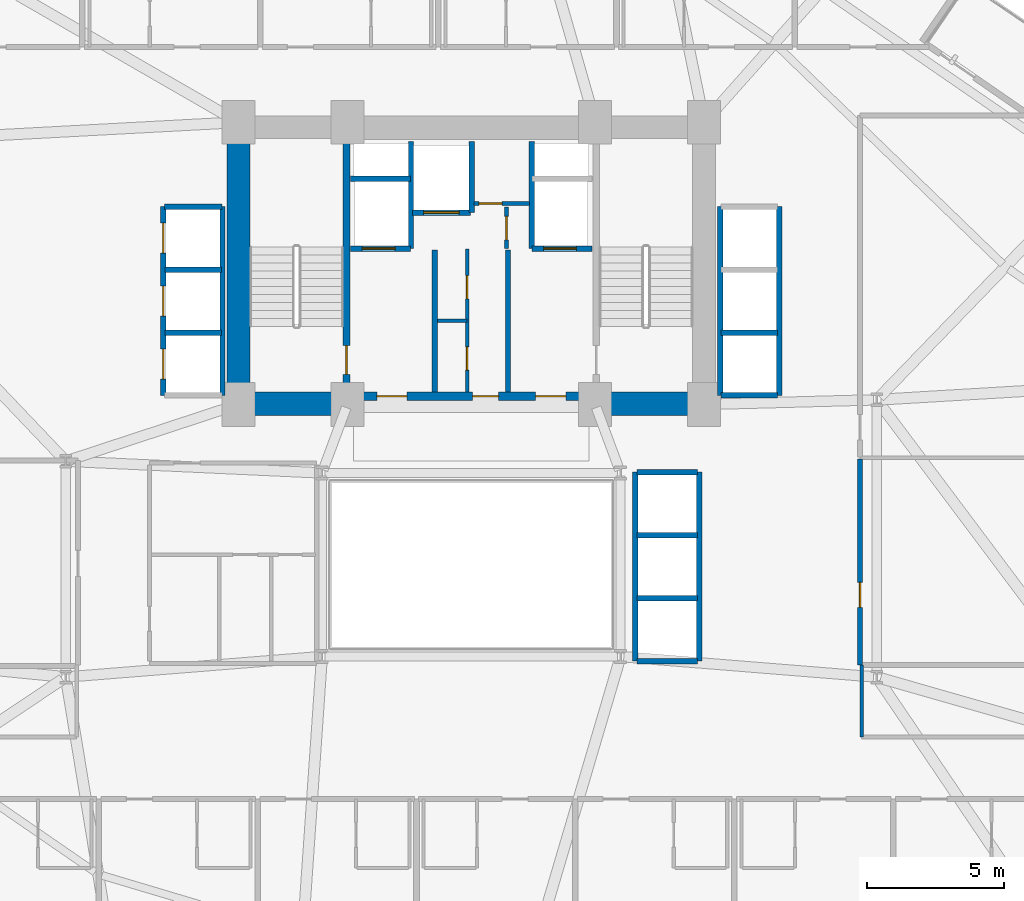
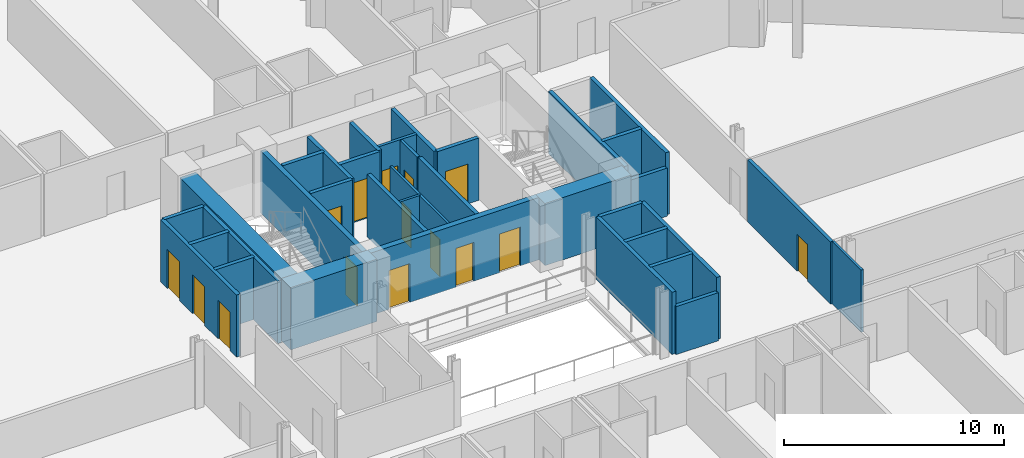
# One storey, part 21 of 27: 35 walls, 15 doors, 15 openings.
"""IFC4 building model written with IfcOpenShell, lengths in metres."""

from ifc_helpers import new_model, si_unit, direction, frame, frame_2d, origin, place, context, subcontext, project, spatial, rectangle, extrude, material, layer, layer_set, type_object, element, fill, save


model = new_model("IFC4")

# Units and contexts
model_context = context("Model", 3, precision=1e-05, world=origin(), true_north=direction((0.0, 1.0)))
body_context = subcontext(model_context, "Body", "Model", "MODEL_VIEW")
ifc_project = project(units=[si_unit("LENGTHUNIT", "METRE"), si_unit("AREAUNIT", "SQUARE_METRE"), si_unit("VOLUMEUNIT", "CUBIC_METRE"), si_unit("PLANEANGLEUNIT", "RADIAN"), si_unit("MASSUNIT", "GRAM", prefix="KILO")], contexts=[model_context])

# Site, building, storey
site_placement = place(None, origin())
site = spatial("IfcSite", under=ifc_project, at=site_placement, CompositionType="ELEMENT")
building_placement = place(site_placement, origin())
building = spatial("IfcBuilding", under=site, at=building_placement, Name="Varnelok Gate Tower", CompositionType="ELEMENT")
storey_placement = place(building_placement, frame((0.0, 0.0, 60.300048828125)))
storey = spatial("IfcBuildingStorey", under=building, at=storey_placement, Name="L14", CompositionType="ELEMENT", Elevation=60.300048828125)

# Wall, opening, door
ifc_material_1 = material(Name="Gypsum Plasterboard Acoustic Partition", Category="gypsum")
ifc_layer_1 = layer(ifc_material_1, 0.179931640625)
ifc_layer_set_1 = layer_set([ifc_layer_1], Name="Gypsum Plasterboard Acoustic Partition")
wall_type_1 = type_object("IfcWallType", Name="PW-CORR-180", PredefinedType="PARTITIONING", material=ifc_layer_set_1)
wall_1_placement = place(storey_placement, frame((53.389892578125, 19.239990234375, 0.0), z_axis=(0.0, 0.0, 1.0), x_axis=(0.0, 1.0, 0.0)))
wall_1 = element("IfcWall", 1, at=wall_1_placement, inside=storey, type_object=wall_type_1, Name="Interior Partition", PredefinedType="PARTITIONING", context=body_context, shape_type="SweptSolid", body=[
    extrude(rectangle(XDim=7.52001953125, YDim=0.179931640625, at=frame_2d((3.760009765625, 0.0))), origin(), (0.0, 0.0, 1.0), 3.449951171875),
])
opening_1_placement = place(wall_1_placement, frame((2.10009765625, 0.0, 0.0)))
opening_1 = element("IfcOpeningElement", 2, at=opening_1_placement, cuts=wall_1, Name="Opening D-I3", PredefinedType="OPENING", context=body_context, shape_type="SweptSolid", body=[
    extrude(rectangle(XDim=0.919921875, YDim=2.050048828125, at=frame_2d((0.4599609375, 1.02490234375))), frame((0.0, 0.099853515625, 0.0), z_axis=(0.0, -1.0, 0.0), x_axis=(1.0, 0.0, 0.0)), (0.0, 0.0, 1.0), 0.199951171875),
])
ifc_material_2 = material(Name="Engineered Hardwood Timber", Category="wood")
door_type_1 = type_object("IfcDoorType", Name="DR-INT-920", OperationType="NOTDEFINED", PredefinedType="DOOR", material=ifc_material_2)
door_1_placement = place(opening_1_placement, origin())
door_1 = element("IfcDoor", 3, at=door_1_placement, inside=storey, type_object=door_type_1, Name="L14 East Studio Door", OperationType="SINGLE_SWING_RIGHT", OverallHeight=2.050048828125, OverallWidth=0.919921875, PredefinedType="DOOR", context=body_context, shape_type="SweptSolid", body=[
    extrude(rectangle(XDim=0.919921875, YDim=2.050048828125, at=frame_2d((0.4599609375, 1.02490234375))), frame((0.0, 0.02490234375, 0.0), z_axis=(0.0, -1.0, 0.0), x_axis=(1.0, 0.0, 0.0)), (0.0, 0.0, 1.0), 0.050048828125),
])
fill(opening_1, door_1)

# Walls
ifc_layer_2 = layer(ifc_material_1, 0.125)
ifc_layer_set_2 = layer_set([ifc_layer_2], Name="Gypsum Plasterboard Acoustic Partition")
wall_type_2 = type_object("IfcWallType", Name="PW-PART-125", PredefinedType="PARTITIONING", material=ifc_layer_set_2)
wall_2_placement = place(storey_placement, frame((53.449951171875, 16.610107421875, 0.0), z_axis=(0.0, 0.0, 1.0), x_axis=(0.0, 1.0, 0.0)))
element("IfcWall", 4, at=wall_2_placement, inside=storey, type_object=wall_type_2, Name="Interior Partition", PredefinedType="PARTITIONING", context=body_context, shape_type="SweptSolid", body=[
    extrude(rectangle(XDim=2.6298828125, YDim=0.125, at=frame_2d((1.31494140625, 0.0))), origin(), (0.0, 0.0, 1.0), 3.449951171875),
])
wall_3_placement = place(storey_placement, frame((37.9599609375, 31.800048828125, 0.0), z_axis=(0.0, 0.0, 1.0), x_axis=(1.0, 0.0, 0.0)))
element("IfcWall", 5, at=wall_3_placement, inside=storey, type_object=wall_type_2, Name="Interior Partition", PredefinedType="PARTITIONING", context=body_context, shape_type="SweptSolid", body=[
    extrude(rectangle(XDim=1.090087890625, YDim=0.125, at=frame_2d((0.544921875, 0.0))), origin(), (0.0, 0.0, 1.0), 3.449951171875),
])

# Wall, openings, doors
wall_4_placement = place(storey_placement, frame((39.050048828125, 29.199951171875, 0.0), z_axis=(0.0, 0.0, 1.0), x_axis=(0.0, 1.0, 0.0)))
wall_4 = element("IfcWall", 6, at=wall_4_placement, inside=storey, type_object=wall_type_2, Name="Interior Partition", PredefinedType="PARTITIONING", context=body_context, shape_type="SweptSolid", body=[
    extrude(rectangle(XDim=5.219970703125, YDim=0.125, at=frame_2d((2.60986328125, 0.0))), origin(), (0.0, 0.0, 1.0), 3.449951171875),
])
opening_2_placement = place(wall_4_placement, frame((0.800048828125, 0.0, 0.0)))
opening_2 = element("IfcOpeningElement", 7, at=opening_2_placement, cuts=wall_4, Name="Opening D-RS", PredefinedType="OPENING", context=body_context, shape_type="SweptSolid", body=[
    extrude(rectangle(XDim=0.85009765625, YDim=2.050048828125, at=frame_2d((0.425048828125, 1.02490234375))), frame((0.0, 0.072509765625, 0.0), z_axis=(0.0, -1.0, 0.0), x_axis=(1.0, 0.0, 0.0)), (0.0, 0.0, 1.0), 0.14501953125),
])
opening_3_placement = place(wall_4_placement, frame((3.39990234375, 0.0, 0.0)))
opening_3 = element("IfcOpeningElement", 8, at=opening_3_placement, cuts=wall_4, Name="Opening D-RS", PredefinedType="OPENING", context=body_context, shape_type="SweptSolid", body=[
    extrude(rectangle(XDim=0.85009765625, YDim=2.050048828125, at=frame_2d((0.425048828125, 1.02490234375))), frame((0.0, 0.072509765625, 0.0), z_axis=(0.0, -1.0, 0.0), x_axis=(1.0, 0.0, 0.0)), (0.0, 0.0, 1.0), 0.14501953125),
])
ifc_material_3 = material(Name="Galvanized Steel Grade S350GD", Category="steel")
door_type_2 = type_object("IfcDoorType", Name="DR-RISER-850", OperationType="NOTDEFINED", PredefinedType="DOOR", material=ifc_material_3)
door_2_placement = place(opening_2_placement, origin())
door_2 = element("IfcDoor", 9, at=door_2_placement, inside=storey, type_object=door_type_2, Name="L14 Housekeeping Linen Door", OperationType="SINGLE_SWING_LEFT", OverallHeight=2.050048828125, OverallWidth=0.85009765625, PredefinedType="DOOR", context=body_context, shape_type="SweptSolid", body=[
    extrude(rectangle(XDim=0.85009765625, YDim=2.050048828125, at=frame_2d((0.425048828125, 1.02490234375))), frame((0.0, 0.02490234375, 0.0), z_axis=(0.0, -1.0, 0.0), x_axis=(1.0, 0.0, 0.0)), (0.0, 0.0, 1.0), 0.050048828125),
])
fill(opening_2, door_2)
door_3_placement = place(opening_3_placement, origin())
door_3 = element("IfcDoor", 10, at=door_3_placement, inside=storey, type_object=door_type_2, Name="L14 Janitor Sink Door", OperationType="SINGLE_SWING_RIGHT", OverallHeight=2.050048828125, OverallWidth=0.85009765625, PredefinedType="DOOR", context=body_context, shape_type="SweptSolid", body=[
    extrude(rectangle(XDim=0.85009765625, YDim=2.050048828125, at=frame_2d((0.425048828125, 1.02490234375))), frame((0.0, 0.02490234375, 0.0), z_axis=(0.0, -1.0, 0.0), x_axis=(1.0, 0.0, 0.0)), (0.0, 0.0, 1.0), 0.050048828125),
])
fill(opening_3, door_3)

# Wall, opening, door
ifc_layer_3 = layer(ifc_material_1, 0.14990234375)
ifc_layer_set_3 = layer_set([ifc_layer_3], Name="Gypsum Plasterboard Acoustic Partition")
wall_type_3 = type_object("IfcWallType", Name="PW-PART-150", PredefinedType="PARTITIONING", material=ifc_layer_set_3)
wall_5_placement = place(storey_placement, frame((39.300048828125, 36.080078125, 0.0), z_axis=(0.0, 0.0, 1.0), x_axis=(1.0, 0.0, 0.0)))
wall_5 = element("IfcWall", 11, at=wall_5_placement, inside=storey, type_object=wall_type_3, Name="L14 Electrical Closet South Wall", PredefinedType="PARTITIONING", context=body_context, shape_type="SweptSolid", body=[
    extrude(rectangle(XDim=2.02001953125, YDim=0.14990234375, at=frame_2d((1.010009765625, 0.0))), origin(), (0.0, 0.0, 1.0), 3.449951171875),
])
opening_4_placement = place(wall_5_placement, frame((0.179931640625, 0.0, 0.0)))
opening_4 = element("IfcOpeningElement", 12, at=opening_4_placement, cuts=wall_5, Name="Opening D-RS", PredefinedType="OPENING", context=body_context, shape_type="SweptSolid", body=[
    extrude(rectangle(XDim=0.85009765625, YDim=2.050048828125, at=frame_2d((0.425048828125, 1.02490234375))), frame((0.0, 0.0849609375, 0.0), z_axis=(0.0, -1.0, 0.0), x_axis=(1.0, 0.0, 0.0)), (0.0, 0.0, 1.0), 0.169921875),
])
door_4_placement = place(opening_4_placement, origin())
door_4 = element("IfcDoor", 13, at=door_4_placement, inside=storey, type_object=door_type_2, Name="L14 Electrical Closet Door", OperationType="SINGLE_SWING_RIGHT", OverallHeight=2.050048828125, OverallWidth=0.85009765625, PredefinedType="DOOR", context=body_context, shape_type="SweptSolid", body=[
    extrude(rectangle(XDim=0.85009765625, YDim=2.050048828125, at=frame_2d((0.425048828125, 1.02490234375))), frame((0.0, 0.02490234375, 0.0), z_axis=(0.0, -1.0, 0.0), x_axis=(1.0, 0.0, 0.0)), (0.0, 0.0, 1.0), 0.050048828125),
])
fill(opening_4, door_4)

wall_6_placement = place(storey_placement, frame((40.47998046875, 34.43994140625, 0.0), z_axis=(0.0, 0.0, 1.0), x_axis=(0.0, 1.0, 0.0)))
wall_6 = element("IfcWall", 14, at=wall_6_placement, inside=storey, type_object=wall_type_3, Name="L14 Telecoms Closet West Wall", PredefinedType="PARTITIONING", context=body_context, shape_type="SweptSolid", body=[
    extrude(rectangle(XDim=1.52001953125, YDim=0.14990234375, at=frame_2d((0.760009765625, 0.0))), origin(), (0.0, 0.0, 1.0), 3.449951171875),
])
opening_5_placement = place(wall_6_placement, frame((0.320068359375, 0.0, 0.0)))
opening_5 = element("IfcOpeningElement", 15, at=opening_5_placement, cuts=wall_6, Name="Opening D-RS", PredefinedType="OPENING", context=body_context, shape_type="SweptSolid", body=[
    extrude(rectangle(XDim=0.85009765625, YDim=2.050048828125, at=frame_2d((0.425048828125, 1.02490234375))), frame((0.0, 0.0849609375, 0.0), z_axis=(0.0, -1.0, 0.0), x_axis=(1.0, 0.0, 0.0)), (0.0, 0.0, 1.0), 0.169921875),
])
door_5_placement = place(opening_5_placement, origin())
door_5 = element("IfcDoor", 16, at=door_5_placement, inside=storey, type_object=door_type_2, Name="L14 Telecoms Closet Door", OperationType="SINGLE_SWING_LEFT", OverallHeight=2.050048828125, OverallWidth=0.85009765625, PredefinedType="DOOR", context=body_context, shape_type="SweptSolid", body=[
    extrude(rectangle(XDim=0.85009765625, YDim=2.050048828125, at=frame_2d((0.425048828125, 1.02490234375))), frame((0.0, 0.02490234375, 0.0), z_axis=(0.0, -1.0, 0.0), x_axis=(1.0, 0.0, 0.0)), (0.0, 0.0, 1.0), 0.050048828125),
])
fill(opening_5, door_5)

# Walls
ifc_material_4 = material(Name="Concrete C35/45", Category="concrete")
ifc_layer_4 = layer(ifc_material_4, 0.199951171875)
ifc_layer_set_4 = layer_set([ifc_layer_4], Name="Concrete C35/45")
wall_type_4 = type_object("IfcWallType", Name="PW-SHAFT-200", PredefinedType="PARTITIONING", material=ifc_layer_set_4)
for number, where, z_axis, x_axis, name in (
    (17, (37.860107421875, 29.199951171875, 0.0), (0.0, 0.0, 1.0), (0.0, 1.0, 0.0), "L14 West FF Lobby Rated Wall"),
    (18, (40.5400390625, 29.199951171875, 0.0), (0.0, 0.0, 1.0), (0.0, 1.0, 0.0), "L14 East FF Lobby Rated Wall"),
):
    element("IfcWall", number, at=place(storey_placement, frame(where, z_axis=z_axis, x_axis=x_axis)), inside=storey, type_object=wall_type_4, Name=name, PredefinedType="PARTITIONING", context=body_context, shape_type="SweptSolid", body=[
        extrude(rectangle(XDim=5.179931640625, YDim=0.199951171875, at=frame_2d((2.58984375, 0.0))), origin(), (0.0, 0.0, 1.0), 3.449951171875),
    ])

# Wall, opening, door
wall_7_placement = place(storey_placement, frame((34.800048828125, 34.43994140625, 0.0), z_axis=(0.0, 0.0, 1.0), x_axis=(1.0, 0.0, 0.0)))
wall_7 = element("IfcWall", 19, at=wall_7_placement, inside=storey, type_object=wall_type_4, Name="L14 FF1 Shaft Front Wall", PredefinedType="PARTITIONING", context=body_context, shape_type="SweptSolid", body=[
    extrude(rectangle(XDim=2.179931640625, YDim=0.199951171875, at=frame_2d((1.08984375, 0.0))), origin(), (0.0, 0.0, 1.0), 3.449951171875),
])
opening_6_placement = place(wall_7_placement, frame((0.419921875, 0.0, 0.0)))
opening_6 = element("IfcOpeningElement", 20, at=opening_6_placement, cuts=wall_7, Name="Opening LD-FF1", PredefinedType="OPENING", context=body_context, shape_type="SweptSolid", body=[
    extrude(rectangle(XDim=1.199951171875, YDim=2.199951171875, at=frame_2d((0.60009765625, 1.10009765625))), frame((0.0, 0.10986328125, 0.0), z_axis=(0.0, -1.0, 0.0), x_axis=(1.0, 0.0, 0.0)), (0.0, 0.0, 1.0), 0.219970703125),
])
door_type_3 = type_object("IfcDoorType", Name="DR-LIFT-FF1200", OperationType="SLIDING_TO_LEFT", PredefinedType="DOOR", material=ifc_material_3)
door_6_placement = place(opening_6_placement, origin())
door_6 = element("IfcDoor", 21, at=door_6_placement, inside=storey, type_object=door_type_3, Name="L14 Firefighting Lift Landing Door LD-FF1", OperationType="SLIDING_TO_LEFT", OverallHeight=2.199951171875, OverallWidth=1.199951171875, PredefinedType="DOOR", context=body_context, shape_type="SweptSolid", body=[
    extrude(rectangle(XDim=1.199951171875, YDim=2.199951171875, at=frame_2d((0.60009765625, 1.10009765625))), frame((0.0, 0.02490234375, 0.0), z_axis=(0.0, -1.0, 0.0), x_axis=(1.0, 0.0, 0.0)), (0.0, 0.0, 1.0), 0.050048828125),
])
fill(opening_6, door_6)

# Walls
wall_8_placement = place(storey_placement, frame((34.800048828125, 36.97998046875, 0.0), z_axis=(0.0, 0.0, 1.0), x_axis=(1.0, 0.0, 0.0)))
element("IfcWall", 22, at=wall_8_placement, inside=storey, type_object=wall_type_4, Name="L14 FF1 Shaft North Wall", PredefinedType="PARTITIONING", context=body_context, shape_type="SweptSolid", body=[
    extrude(rectangle(XDim=2.179931640625, YDim=0.199951171875, at=frame_2d((1.08984375, 0.0))), origin(), (0.0, 0.0, 1.0), 3.449951171875),
])
wall_9_placement = place(storey_placement, frame((37.0, 34.43994140625, 0.0), z_axis=(0.0, 0.0, 1.0), x_axis=(0.0, 1.0, 0.0)))
element("IfcWall", 23, at=wall_9_placement, inside=storey, type_object=wall_type_4, Name="L14 FF1 Shaft Side Wall", PredefinedType="PARTITIONING", context=body_context, shape_type="SweptSolid", body=[
    extrude(rectangle(XDim=3.900146484375, YDim=0.199951171875, at=frame_2d((1.9501953125, 0.0))), origin(), (0.0, 0.0, 1.0), 3.449951171875),
])

# Wall, opening, door
wall_10_placement = place(storey_placement, frame((41.419921875, 34.43994140625, 0.0), z_axis=(0.0, 0.0, 1.0), x_axis=(1.0, 0.0, 0.0)))
wall_10 = element("IfcWall", 24, at=wall_10_placement, inside=storey, type_object=wall_type_4, Name="L14 FF2 Shaft Front Wall", PredefinedType="PARTITIONING", context=body_context, shape_type="SweptSolid", body=[
    extrude(rectangle(XDim=2.18017578125, YDim=0.199951171875, at=frame_2d((1.090087890625, 0.0))), origin(), (0.0, 0.0, 1.0), 3.449951171875),
])
opening_7_placement = place(wall_10_placement, frame((0.419921875, 0.0, 0.0)))
opening_7 = element("IfcOpeningElement", 25, at=opening_7_placement, cuts=wall_10, Name="Opening LD-FF2", PredefinedType="OPENING", context=body_context, shape_type="SweptSolid", body=[
    extrude(rectangle(XDim=1.199951171875, YDim=2.199951171875, at=frame_2d((0.60009765625, 1.10009765625))), frame((0.0, 0.10986328125, 0.0), z_axis=(0.0, -1.0, 0.0), x_axis=(1.0, 0.0, 0.0)), (0.0, 0.0, 1.0), 0.219970703125),
])
door_7_placement = place(opening_7_placement, origin())
door_7 = element("IfcDoor", 26, at=door_7_placement, inside=storey, type_object=door_type_3, Name="L14 Firefighting Lift Landing Door LD-FF2", OperationType="SLIDING_TO_LEFT", OverallHeight=2.199951171875, OverallWidth=1.199951171875, PredefinedType="DOOR", context=body_context, shape_type="SweptSolid", body=[
    extrude(rectangle(XDim=1.199951171875, YDim=2.199951171875, at=frame_2d((0.60009765625, 1.10009765625))), frame((0.0, 0.02490234375, 0.0), z_axis=(0.0, -1.0, 0.0), x_axis=(1.0, 0.0, 0.0)), (0.0, 0.0, 1.0), 0.050048828125),
])
fill(opening_7, door_7)

# Wall
wall_11_placement = place(storey_placement, frame((41.39990234375, 34.43994140625, 0.0), z_axis=(0.0, 0.0, 1.0), x_axis=(0.0, 1.0, 0.0)))
element("IfcWall", 27, at=wall_11_placement, inside=storey, type_object=wall_type_4, Name="L14 FF2 Shaft Side Wall", PredefinedType="PARTITIONING", context=body_context, shape_type="SweptSolid", body=[
    extrude(rectangle(XDim=3.900146484375, YDim=0.199951171875, at=frame_2d((1.9501953125, 0.0))), origin(), (0.0, 0.0, 1.0), 3.449951171875),
])

# Wall, opening, door
wall_12_placement = place(storey_placement, frame((37.06005859375, 35.75, 0.0), z_axis=(0.0, 0.0, 1.0), x_axis=(1.0, 0.0, 0.0)))
wall_12 = element("IfcWall", 28, at=wall_12_placement, inside=storey, type_object=wall_type_4, Name="L14 SV1 Shaft Front Wall", PredefinedType="PARTITIONING", context=body_context, shape_type="SweptSolid", body=[
    extrude(rectangle(XDim=2.119873046875, YDim=0.199951171875, at=frame_2d((1.06005859375, 0.0))), origin(), (0.0, 0.0, 1.0), 3.449951171875),
])
opening_8_placement = place(wall_12_placement, frame((0.39990234375, 0.0, 0.0)))
opening_8 = element("IfcOpeningElement", 29, at=opening_8_placement, cuts=wall_12, Name="Opening LD-SV1", PredefinedType="OPENING", context=body_context, shape_type="SweptSolid", body=[
    extrude(rectangle(XDim=1.300048828125, YDim=2.199951171875, at=frame_2d((0.64990234375, 1.10009765625))), frame((0.0, 0.10986328125, 0.0), z_axis=(0.0, -1.0, 0.0), x_axis=(1.0, 0.0, 0.0)), (0.0, 0.0, 1.0), 0.219970703125),
])
door_type_4 = type_object("IfcDoorType", Name="DR-LIFT-SV1300", OperationType="SLIDING_TO_LEFT", PredefinedType="DOOR", material=ifc_material_3)
door_8_placement = place(opening_8_placement, origin())
door_8 = element("IfcDoor", 30, at=door_8_placement, inside=storey, type_object=door_type_4, Name="L14 Service Lift Landing Door LD-SV1", OperationType="SLIDING_TO_LEFT", OverallHeight=2.199951171875, OverallWidth=1.300048828125, PredefinedType="DOOR", context=body_context, shape_type="SweptSolid", body=[
    extrude(rectangle(XDim=1.300048828125, YDim=2.199951171875, at=frame_2d((0.64990234375, 1.10009765625))), frame((0.0, 0.02490234375, 0.0), z_axis=(0.0, -1.0, 0.0), x_axis=(1.0, 0.0, 0.0)), (0.0, 0.0, 1.0), 0.050048828125),
])
fill(opening_8, door_8)

# Walls
wall_13_placement = place(storey_placement, frame((39.219970703125, 35.75, 0.0), z_axis=(0.0, 0.0, 1.0), x_axis=(0.0, 1.0, 0.0)))
element("IfcWall", 31, at=wall_13_placement, inside=storey, type_object=wall_type_4, Name="L14 SV1 Shaft East Wall", PredefinedType="PARTITIONING", context=body_context, shape_type="SweptSolid", body=[
    extrude(rectangle(XDim=2.590087890625, YDim=0.199951171875, at=frame_2d((1.294921875, 0.0))), origin(), (0.0, 0.0, 1.0), 3.449951171875),
])
for number, where, z_axis, x_axis, name in (
    (32, (28.02001953125, 31.375, 0.0), (0.0, 0.0, 1.0), (1.0, 0.0, 0.0), "L14 PL1 Divider"),
    (33, (28.02001953125, 33.675048828125, 0.0), (0.0, 0.0, 1.0), (1.0, 0.0, 0.0), "L14 PL2 Divider"),
):
    element("IfcWall", number, at=place(storey_placement, frame(where, z_axis=z_axis, x_axis=x_axis)), inside=storey, type_object=wall_type_4, Name=name, PredefinedType="PARTITIONING", context=body_context, shape_type="SweptSolid", body=[
        extrude(rectangle(XDim=2.06005859375, YDim=0.199951171875, at=frame_2d((1.030029296875, 0.0))), origin(), (0.0, 0.0, 1.0), 3.449951171875),
    ])
wall_14_placement = place(storey_placement, frame((28.0, 35.969970703125, 0.0), z_axis=(0.0, 0.0, 1.0), x_axis=(1.0, 0.0, 0.0)))
element("IfcWall", 34, at=wall_14_placement, inside=storey, type_object=wall_type_4, Name="L14 PL Bank North Wall", PredefinedType="PARTITIONING", context=body_context, shape_type="SweptSolid", body=[
    extrude(rectangle(XDim=2.10009765625, YDim=0.199951171875, at=frame_2d((1.050048828125, 0.0))), origin(), (0.0, 0.0, 1.0), 3.449951171875),
])
wall_15_placement = place(storey_placement, frame((30.1201171875, 29.080078125, 0.0), z_axis=(0.0, 0.0, 1.0), x_axis=(0.0, 1.0, 0.0)))
element("IfcWall", 35, at=wall_15_placement, inside=storey, type_object=wall_type_4, Name="L14 PL Bank Back Wall", PredefinedType="PARTITIONING", context=body_context, shape_type="SweptSolid", body=[
    extrude(rectangle(XDim=6.889892578125, YDim=0.199951171875, at=frame_2d((3.44482421875, 0.0))), origin(), (0.0, 0.0, 1.0), 3.449951171875),
])

# Wall, openings, doors
wall_16_placement = place(storey_placement, frame((27.9599609375, 29.080078125, 0.0), z_axis=(0.0, 0.0, 1.0), x_axis=(0.0, 1.0, 0.0)))
wall_16 = element("IfcWall", 36, at=wall_16_placement, inside=storey, type_object=wall_type_4, Name="L14 PL Bank Front Wall", PredefinedType="PARTITIONING", context=body_context, shape_type="SweptSolid", body=[
    extrude(rectangle(XDim=6.889892578125, YDim=0.199951171875, at=frame_2d((3.44482421875, 0.0))), origin(), (0.0, 0.0, 1.0), 3.449951171875),
])
opening_9_placement = place(wall_16_placement, frame((0.590087890625, 0.0, 0.0)))
opening_9 = element("IfcOpeningElement", 37, at=opening_9_placement, cuts=wall_16, Name="Opening LD-PL1", PredefinedType="OPENING", context=body_context, shape_type="SweptSolid", body=[
    extrude(rectangle(XDim=1.10009765625, YDim=2.14990234375, at=frame_2d((0.550048828125, 1.074951171875))), frame((0.0, 0.10986328125, 0.0), z_axis=(0.0, -1.0, 0.0), x_axis=(1.0, 0.0, 0.0)), (0.0, 0.0, 1.0), 0.219970703125),
])
opening_10_placement = place(wall_16_placement, frame((2.889892578125, 0.0, 0.0)))
opening_10 = element("IfcOpeningElement", 38, at=opening_10_placement, cuts=wall_16, Name="Opening LD-PL2", PredefinedType="OPENING", context=body_context, shape_type="SweptSolid", body=[
    extrude(rectangle(XDim=1.10009765625, YDim=2.14990234375, at=frame_2d((0.550048828125, 1.074951171875))), frame((0.0, 0.10986328125, 0.0), z_axis=(0.0, -1.0, 0.0), x_axis=(1.0, 0.0, 0.0)), (0.0, 0.0, 1.0), 0.219970703125),
])
opening_11_placement = place(wall_16_placement, frame((5.18994140625, 0.0, 0.0)))
opening_11 = element("IfcOpeningElement", 39, at=opening_11_placement, cuts=wall_16, Name="Opening LD-PL3", PredefinedType="OPENING", context=body_context, shape_type="SweptSolid", body=[
    extrude(rectangle(XDim=1.10009765625, YDim=2.14990234375, at=frame_2d((0.550048828125, 1.074951171875))), frame((0.0, 0.10986328125, 0.0), z_axis=(0.0, -1.0, 0.0), x_axis=(1.0, 0.0, 0.0)), (0.0, 0.0, 1.0), 0.219970703125),
])
door_type_5 = type_object("IfcDoorType", Name="DR-LIFT-PAX1100", OperationType="SLIDING_TO_LEFT", PredefinedType="DOOR", material=ifc_material_3)
door_9_placement = place(opening_9_placement, origin())
door_9 = element("IfcDoor", 40, at=door_9_placement, inside=storey, type_object=door_type_5, Name="L14 Passenger Lift Landing Door LD-PL1", OperationType="SLIDING_TO_LEFT", OverallHeight=2.14990234375, OverallWidth=1.10009765625, PredefinedType="DOOR", context=body_context, shape_type="SweptSolid", body=[
    extrude(rectangle(XDim=1.10009765625, YDim=2.14990234375, at=frame_2d((0.550048828125, 1.074951171875))), frame((0.0, 0.02490234375, 0.0), z_axis=(0.0, -1.0, 0.0), x_axis=(1.0, 0.0, 0.0)), (0.0, 0.0, 1.0), 0.050048828125),
])
fill(opening_9, door_9)
door_10_placement = place(opening_10_placement, origin())
door_10 = element("IfcDoor", 41, at=door_10_placement, inside=storey, type_object=door_type_5, Name="L14 Passenger Lift Landing Door LD-PL2", OperationType="SLIDING_TO_LEFT", OverallHeight=2.14990234375, OverallWidth=1.10009765625, PredefinedType="DOOR", context=body_context, shape_type="SweptSolid", body=[
    extrude(rectangle(XDim=1.10009765625, YDim=2.14990234375, at=frame_2d((0.550048828125, 1.074951171875))), frame((0.0, 0.02490234375, 0.0), z_axis=(0.0, -1.0, 0.0), x_axis=(1.0, 0.0, 0.0)), (0.0, 0.0, 1.0), 0.050048828125),
])
fill(opening_10, door_10)
door_11_placement = place(opening_11_placement, origin())
door_11 = element("IfcDoor", 42, at=door_11_placement, inside=storey, type_object=door_type_5, Name="L14 Passenger Lift Landing Door LD-PL3", OperationType="SLIDING_TO_LEFT", OverallHeight=2.14990234375, OverallWidth=1.10009765625, PredefinedType="DOOR", context=body_context, shape_type="SweptSolid", body=[
    extrude(rectangle(XDim=1.10009765625, YDim=2.14990234375, at=frame_2d((0.550048828125, 1.074951171875))), frame((0.0, 0.02490234375, 0.0), z_axis=(0.0, -1.0, 0.0), x_axis=(1.0, 0.0, 0.0)), (0.0, 0.0, 1.0), 0.050048828125),
])
fill(opening_11, door_11)

# Walls
wall_17_placement = place(storey_placement, frame((48.320068359375, 31.375, 0.0), z_axis=(0.0, 0.0, 1.0), x_axis=(1.0, 0.0, 0.0)))
element("IfcWall", 43, at=wall_17_placement, inside=storey, type_object=wall_type_4, Name="L14 PM1 Divider", PredefinedType="PARTITIONING", context=body_context, shape_type="SweptSolid", body=[
    extrude(rectangle(XDim=2.059814453125, YDim=0.199951171875, at=frame_2d((1.02978515625, 0.0))), origin(), (0.0, 0.0, 1.0), 3.449951171875),
])
wall_18_placement = place(storey_placement, frame((48.320068359375, 29.080078125, 0.0), z_axis=(0.0, 0.0, 1.0), x_axis=(1.0, 0.0, 0.0)))
element("IfcWall", 44, at=wall_18_placement, inside=storey, type_object=wall_type_4, Name="L14 PM Bank South Wall", PredefinedType="PARTITIONING", context=body_context, shape_type="SweptSolid", body=[
    extrude(rectangle(XDim=2.059814453125, YDim=0.199951171875, at=frame_2d((1.02978515625, 0.0))), origin(), (0.0, 0.0, 1.0), 2.661865234375),
])
for number, where, z_axis, x_axis, name in (
    (45, (48.280029296875, 29.080078125, 0.0), (0.0, 0.0, 1.0), (0.0, 1.0, 0.0), "L14 PM Bank Back Wall"),
    (46, (50.43994140625, 29.080078125, 0.0), (0.0, 0.0, 1.0), (0.0, 1.0, 0.0), "L14 PM Bank Front Wall"),
):
    element("IfcWall", number, at=place(storey_placement, frame(where, z_axis=z_axis, x_axis=x_axis)), inside=storey, type_object=wall_type_4, Name=name, PredefinedType="PARTITIONING", context=body_context, shape_type="SweptSolid", body=[
        extrude(rectangle(XDim=6.889892578125, YDim=0.199951171875, at=frame_2d((3.44482421875, 0.0))), origin(), (0.0, 0.0, 1.0), 3.449951171875),
    ])
for number, where, z_axis, x_axis, name in (
    (47, (45.239990234375, 21.675048828125, 0.0), (0.0, 0.0, 1.0), (1.0, 0.0, 0.0), "L14 PH1 Divider"),
    (48, (45.239990234375, 23.97509765625, 0.0), (0.0, 0.0, 1.0), (1.0, 0.0, 0.0), "L14 PH2 Divider"),
):
    element("IfcWall", number, at=place(storey_placement, frame(where, z_axis=z_axis, x_axis=x_axis)), inside=storey, type_object=wall_type_4, Name=name, PredefinedType="PARTITIONING", context=body_context, shape_type="SweptSolid", body=[
        extrude(rectangle(XDim=2.219970703125, YDim=0.199951171875, at=frame_2d((1.10986328125, 0.0))), origin(), (0.0, 0.0, 1.0), 3.449951171875),
    ])
wall_19_placement = place(storey_placement, frame((45.239990234375, 19.3798828125, 0.0), z_axis=(0.0, 0.0, 1.0), x_axis=(1.0, 0.0, 0.0)))
element("IfcWall", 49, at=wall_19_placement, inside=storey, type_object=wall_type_4, Name="L14 PH Bank South Wall", PredefinedType="PARTITIONING", context=body_context, shape_type="SweptSolid", body=[
    extrude(rectangle(XDim=2.219970703125, YDim=0.199951171875, at=frame_2d((1.10986328125, 0.0))), origin(), (0.0, 0.0, 1.0), 2.661865234375),
])
wall_20_placement = place(storey_placement, frame((45.239990234375, 26.280029296875, 0.0), z_axis=(0.0, 0.0, 1.0), x_axis=(1.0, 0.0, 0.0)))
element("IfcWall", 50, at=wall_20_placement, inside=storey, type_object=wall_type_4, Name="L14 PH Bank North Wall", PredefinedType="PARTITIONING", context=body_context, shape_type="SweptSolid", body=[
    extrude(rectangle(XDim=2.219970703125, YDim=0.199951171875, at=frame_2d((1.10986328125, 0.0))), origin(), (0.0, 0.0, 1.0), 3.449951171875),
])
for number, where, z_axis, x_axis, name in (
    (51, (45.179931640625, 19.3798828125, 0.0), (0.0, 0.0, 1.0), (0.0, 1.0, 0.0), "L14 PH Bank Atrium Wall"),
    (52, (47.52001953125, 19.3798828125, 0.0), (0.0, 0.0, 1.0), (0.0, 1.0, 0.0), "L14 PH Bank Front Wall"),
):
    element("IfcWall", number, at=place(storey_placement, frame(where, z_axis=z_axis, x_axis=x_axis)), inside=storey, type_object=wall_type_4, Name=name, PredefinedType="PARTITIONING", context=body_context, shape_type="SweptSolid", body=[
        extrude(rectangle(XDim=6.900146484375, YDim=0.199951171875, at=frame_2d((3.4501953125, 0.0))), origin(), (0.0, 0.0, 1.0), 3.449951171875),
    ])
ifc_material_5 = material(Name="Concrete C70/85", Category="concrete")
ifc_layer_5 = layer(ifc_material_5, 0.85009765625)
ifc_layer_set_5 = layer_set([ifc_layer_5], Name="Concrete C70/85")
wall_type_5 = type_object("IfcWallType", Name="SW-CORE-850", PredefinedType="SHEAR", material=ifc_layer_set_5)
wall_21_placement = place(storey_placement, frame((30.705078125, 29.199951171875, 0.0), z_axis=(0.0, 0.0, 1.0), x_axis=(0.0, 1.0, 0.0)))
element("IfcWall", 53, at=wall_21_placement, inside=storey, type_object=wall_type_5, Name="L14 Rear Core West Shear Wall", PredefinedType="SHEAR", context=body_context, shape_type="SweptSolid", body=[
    extrude(rectangle(XDim=9.219970703125, YDim=0.85009765625, at=frame_2d((4.60986328125, 0.0))), origin(), (0.0, 0.0, 1.0), 3.449951171875),
])
for number, where, z_axis, x_axis, name in (
    (54, (30.280029296875, 28.77490234375, 0.0), (0.0, 0.0, 1.0), (1.0, 0.0, 0.0), "L14 Rear Core South-West Shear Wall"),
    (55, (43.60009765625, 28.77490234375, 0.0), (0.0, 0.0, 1.0), (1.0, 0.0, 0.0), "L14 Rear Core South-East Shear Wall"),
):
    element("IfcWall", number, at=place(storey_placement, frame(where, z_axis=z_axis, x_axis=x_axis)), inside=storey, type_object=wall_type_5, Name=name, PredefinedType="SHEAR", context=body_context, shape_type="SweptSolid", body=[
        extrude(rectangle(XDim=4.52001953125, YDim=0.85009765625, at=frame_2d((2.260009765625, 0.0))), origin(), (0.0, 0.0, 1.0), 3.449951171875),
    ])

# Wall, opening, door
ifc_material_6 = material(Name="Concrete C60/75", Category="concrete")
ifc_layer_6 = layer(ifc_material_6, 0.25)
ifc_layer_set_6 = layer_set([ifc_layer_6], Name="Concrete C60/75")
wall_type_6 = type_object("IfcWallType", Name="SW-SHAFT-250", PredefinedType="SHEAR", material=ifc_layer_set_6)
wall_22_placement = place(storey_placement, frame((34.639892578125, 29.199951171875, 0.0), z_axis=(0.0, 0.0, 1.0), x_axis=(0.0, 1.0, 0.0)))
wall_22 = element("IfcWall", 56, at=wall_22_placement, inside=storey, type_object=wall_type_6, Name="L14 Stair ST-1 East Shear Wall", PredefinedType="SHEAR", context=body_context, shape_type="SweptSolid", body=[
    extrude(rectangle(XDim=9.219970703125, YDim=0.25, at=frame_2d((4.60986328125, 0.0))), origin(), (0.0, 0.0, 1.0), 3.449951171875),
])
opening_12_placement = place(wall_22_placement, frame((0.64990234375, 0.0, 0.0)))
opening_12 = element("IfcOpeningElement", 57, at=opening_12_placement, cuts=wall_22, Name="Opening D-ST", PredefinedType="OPENING", context=body_context, shape_type="SweptSolid", body=[
    extrude(rectangle(XDim=1.050048828125, YDim=2.14990234375, at=frame_2d((0.52490234375, 1.074951171875))), frame((0.0, 0.135009765625, 0.0), z_axis=(0.0, -1.0, 0.0), x_axis=(1.0, 0.0, 0.0)), (0.0, 0.0, 1.0), 0.27001953125),
])
door_type_6 = type_object("IfcDoorType", Name="DR-STAIR-1050", OperationType="NOTDEFINED", PredefinedType="DOOR", material=ifc_material_3)
door_12_placement = place(opening_12_placement, origin())
door_12 = element("IfcDoor", 58, at=door_12_placement, inside=storey, type_object=door_type_6, Name="L14 Exit Stair ST-1 Fire Door", OperationType="SINGLE_SWING_LEFT", OverallHeight=2.14990234375, OverallWidth=1.050048828125, PredefinedType="DOOR", context=body_context, shape_type="SweptSolid", body=[
    extrude(rectangle(XDim=1.050048828125, YDim=2.14990234375, at=frame_2d((0.52490234375, 1.074951171875))), frame((0.0, 0.02490234375, 0.0), z_axis=(0.0, -1.0, 0.0), x_axis=(1.0, 0.0, 0.0)), (0.0, 0.0, 1.0), 0.050048828125),
])
fill(opening_12, door_12)

# Wall, openings, doors
ifc_layer_7 = layer(ifc_material_6, 0.300048828125)
ifc_layer_set_7 = layer_set([ifc_layer_7], Name="Concrete C60/75")
wall_type_7 = type_object("IfcWallType", Name="SW-SHAFT-300", PredefinedType="SHEAR", material=ifc_layer_set_7)
wall_23_placement = place(storey_placement, frame((34.800048828125, 29.050048828125, 0.0), z_axis=(0.0, 0.0, 1.0), x_axis=(1.0, 0.0, 0.0)))
wall_23 = element("IfcWall", 59, at=wall_23_placement, inside=storey, type_object=wall_type_7, Name="L14 Rear Core Central Lobby Shear Wall", PredefinedType="SHEAR", context=body_context, shape_type="SweptSolid", body=[
    extrude(rectangle(XDim=8.800048828125, YDim=0.300048828125, at=frame_2d((4.39990234375, 0.0))), origin(), (0.0, 0.0, 1.0), 3.449951171875),
])
opening_13_placement = place(wall_23_placement, frame((0.949951171875, 0.0, 0.0)))
opening_13 = element("IfcOpeningElement", 60, at=opening_13_placement, cuts=wall_23, Name="Opening D-FF", PredefinedType="OPENING", context=body_context, shape_type="SweptSolid", body=[
    extrude(rectangle(XDim=1.10009765625, YDim=2.14990234375, at=frame_2d((0.550048828125, 1.074951171875))), frame((0.0, 0.159912109375, 0.0), z_axis=(0.0, -1.0, 0.0), x_axis=(1.0, 0.0, 0.0)), (0.0, 0.0, 1.0), 0.320068359375),
])
opening_14_placement = place(wall_23_placement, frame((6.75, 0.0, 0.0)))
opening_14 = element("IfcOpeningElement", 61, at=opening_14_placement, cuts=wall_23, Name="Opening D-FF", PredefinedType="OPENING", context=body_context, shape_type="SweptSolid", body=[
    extrude(rectangle(XDim=1.10009765625, YDim=2.14990234375, at=frame_2d((0.550048828125, 1.074951171875))), frame((0.0, 0.159912109375, 0.0), z_axis=(0.0, -1.0, 0.0), x_axis=(1.0, 0.0, 0.0)), (0.0, 0.0, 1.0), 0.320068359375),
])
opening_15_placement = place(wall_23_placement, frame((4.449951171875, 0.0, 0.0)))
opening_15 = element("IfcOpeningElement", 62, at=opening_15_placement, cuts=wall_23, Name="Opening D-CR", PredefinedType="OPENING", context=body_context, shape_type="SweptSolid", body=[
    extrude(rectangle(XDim=0.949951171875, YDim=2.14990234375, at=frame_2d((0.47509765625, 1.074951171875))), frame((0.0, 0.159912109375, 0.0), z_axis=(0.0, -1.0, 0.0), x_axis=(1.0, 0.0, 0.0)), (0.0, 0.0, 1.0), 0.320068359375),
])
door_type_7 = type_object("IfcDoorType", Name="DR-CORR-950", OperationType="NOTDEFINED", PredefinedType="DOOR", material=ifc_material_3)
door_13_placement = place(opening_15_placement, origin())
door_13 = element("IfcDoor", 63, at=door_13_placement, inside=storey, type_object=door_type_7, Name="L14 Core Service Passage Door", OperationType="SINGLE_SWING_LEFT", OverallHeight=2.14990234375, OverallWidth=0.949951171875, PredefinedType="DOOR", context=body_context, shape_type="SweptSolid", body=[
    extrude(rectangle(XDim=0.949951171875, YDim=2.14990234375, at=frame_2d((0.47509765625, 1.074951171875))), frame((0.0, 0.02490234375, 0.0), z_axis=(0.0, -1.0, 0.0), x_axis=(1.0, 0.0, 0.0)), (0.0, 0.0, 1.0), 0.050048828125),
])
fill(opening_15, door_13)
door_type_8 = type_object("IfcDoorType", Name="DR-FFLOB-1100", OperationType="NOTDEFINED", PredefinedType="DOOR", material=ifc_material_3)
door_14_placement = place(opening_13_placement, origin())
door_14 = element("IfcDoor", 64, at=door_14_placement, inside=storey, type_object=door_type_8, Name="L14 West Firefighting Lobby Fire Door", OperationType="SINGLE_SWING_RIGHT", OverallHeight=2.14990234375, OverallWidth=1.10009765625, PredefinedType="DOOR", context=body_context, shape_type="SweptSolid", body=[
    extrude(rectangle(XDim=1.10009765625, YDim=2.14990234375, at=frame_2d((0.550048828125, 1.074951171875))), frame((0.0, 0.02490234375, 0.0), z_axis=(0.0, -1.0, 0.0), x_axis=(1.0, 0.0, 0.0)), (0.0, 0.0, 1.0), 0.050048828125),
])
fill(opening_13, door_14)
door_15_placement = place(opening_14_placement, origin())
door_15 = element("IfcDoor", 65, at=door_15_placement, inside=storey, type_object=door_type_8, Name="L14 East Firefighting Lobby Fire Door", OperationType="SINGLE_SWING_LEFT", OverallHeight=2.14990234375, OverallWidth=1.10009765625, PredefinedType="DOOR", context=body_context, shape_type="SweptSolid", body=[
    extrude(rectangle(XDim=1.10009765625, YDim=2.14990234375, at=frame_2d((0.550048828125, 1.074951171875))), frame((0.0, 0.02490234375, 0.0), z_axis=(0.0, -1.0, 0.0), x_axis=(1.0, 0.0, 0.0)), (0.0, 0.0, 1.0), 0.050048828125),
])
fill(opening_14, door_15)

save(model, "model.ifc")
